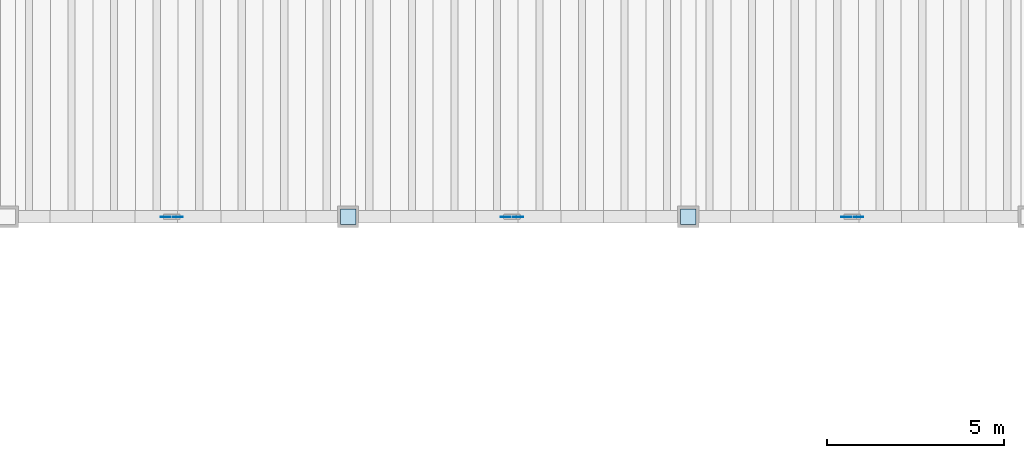
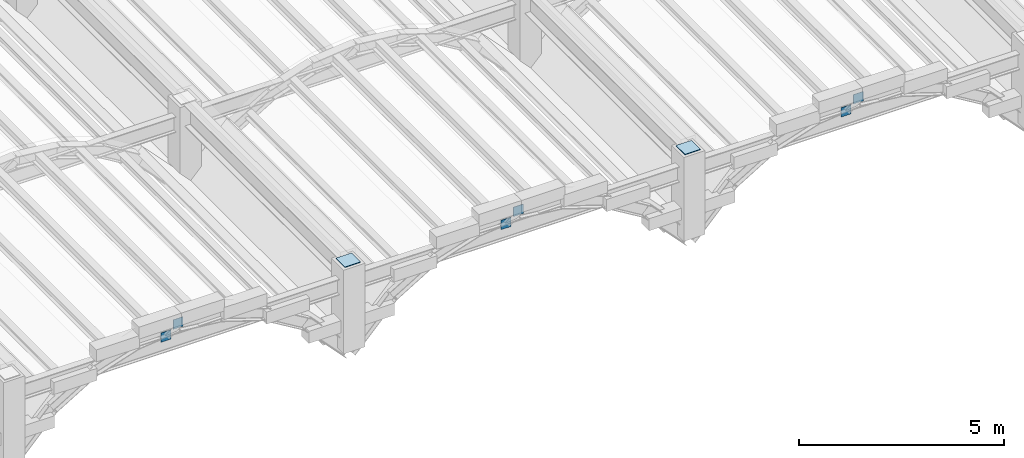
# One storey, part 60 of 70: 8 plates.
"""IFC4 building model written with IfcOpenShell, lengths in metres."""

import ifcopenshell
import ifcopenshell.guid

model = None  # the IFC model being written
_history = None  # IfcOwnerHistory: only IFC2X3 demands one
_inside = {}  # id of a spatial element -> (the spatial element, [elements in it])
_under = {}  # id of a project, library or spatial element -> (it, [spatial elements below it])
_declared = {}  # id of a project -> (the project, [libraries it declares])
_typed = {}  # id of a type object -> (the type object, [elements of that type])
_made_of = {}  # id of a material, layer set ... -> (it, [elements and type objects made of it])


def new_model(schema):
    """Start an empty IFC model of exactly this schema.

    Asked for "IFC4X3", IfcOpenShell would pick the latest addendum, in which some entities
    have other attributes; the version numbers below select the first issue.
    IFC2X3 requires an IfcOwnerHistory on every rooted entity: one is made here for all.
    """
    global model, _history
    if schema == "IFC4X3":
        model = ifcopenshell.file(schema_version=(4, 3, 0, 0))
    else:
        model = ifcopenshell.file(schema=schema)
    _inside.clear()
    _under.clear()
    _declared.clear()
    _typed.clear()
    _made_of.clear()
    _history = None
    if model.schema == "IFC2X3":
        org = make("IfcOrganization", Name="unknown")
        user = make(
            "IfcPersonAndOrganization",
            ThePerson=make("IfcPerson", FamilyName="unknown"),
            TheOrganization=org,
        )
        app = make(
            "IfcApplication",
            ApplicationDeveloper=org,
            Version="unknown",
            ApplicationFullName="unknown",
            ApplicationIdentifier="unknown",
        )
        _history = make(
            "IfcOwnerHistory",
            OwningUser=user,
            OwningApplication=app,
            ChangeAction="ADDED",
            CreationDate=0,
        )
    return model


def make(cls, **values):
    """One entity of the class cls with the attributes given. An attribute that is None is left unset."""
    return model.create_entity(
        cls, **{name: value for name, value in values.items() if value is not None}
    )


def rooted(cls, **values):
    """An entity with a GlobalId (a new one), such as an element, a storey or a relation."""
    return make(cls, GlobalId=ifcopenshell.guid.new(), OwnerHistory=_history, **values)


def si_unit(unit_type, name, prefix=None):
    """IfcSIUnit, for example si_unit("LENGTHUNIT", "METRE", prefix="MILLI")."""
    return make("IfcSIUnit", UnitType=unit_type, Prefix=prefix, Name=name)


def assignment(units):
    """IfcUnitAssignment: the units of a project."""
    return None if units is None else make("IfcUnitAssignment", Units=units)


def point(xyz):
    """IfcCartesianPoint."""
    return None if xyz is None else make("IfcCartesianPoint", Coordinates=xyz)


def direction(xyz):
    """IfcDirection."""
    return None if xyz is None else make("IfcDirection", DirectionRatios=xyz)


def frame(location, z_axis=None, x_axis=None):
    """IfcAxis2Placement3D, a coordinate frame: its origin and axes. An axis left out is left unset."""
    return make(
        "IfcAxis2Placement3D",
        Location=point(location),
        Axis=direction(z_axis),
        RefDirection=direction(x_axis),
    )


def frame_2d(location, x_axis=None):
    """IfcAxis2Placement2D, a coordinate frame in the plane: its origin and x axis."""
    return make(
        "IfcAxis2Placement2D", Location=point(location), RefDirection=direction(x_axis)
    )


def origin():
    """The frame at (0, 0, 0) with its axes left unset."""
    return frame((0.0, 0.0, 0.0))


def origin_2d():
    """The frame at (0, 0) in the plane with its x axis left unset."""
    return frame_2d((0.0, 0.0))


def place(relative_to, where):
    """IfcLocalPlacement: puts the frame where relative to a parent placement (None: the world)."""
    return make(
        "IfcLocalPlacement", PlacementRelTo=relative_to, RelativePlacement=where
    )


def context(
    kind, dimensions, precision=None, world=None, true_north=None, identifier=None
):
    """IfcGeometricRepresentationContext, for example the 3D "Model" context."""
    return make(
        "IfcGeometricRepresentationContext",
        ContextIdentifier=identifier,
        ContextType=kind,
        CoordinateSpaceDimension=dimensions,
        Precision=precision,
        WorldCoordinateSystem=world,
        TrueNorth=true_north,
    )


def subcontext(parent, identifier, kind, view, scale=None):
    """IfcGeometricRepresentationSubContext, for example "Body" below "Model"."""
    return make(
        "IfcGeometricRepresentationSubContext",
        ContextIdentifier=identifier,
        ContextType=kind,
        ParentContext=parent,
        TargetScale=scale,
        TargetView=view,
    )


def project(units=None, contexts=None):
    """IfcProject with its units and contexts."""
    return rooted(
        "IfcProject",
        Name="project",
        RepresentationContexts=contexts,
        UnitsInContext=assignment(units),
    )


def spatial(cls, under=None, at=None, **own):
    """A site, building, storey or space (cls), placed at a placement, below another one or the project."""
    s = rooted(cls, ObjectPlacement=at, **own)
    if under is not None:
        _under.setdefault(under.id(), (under, []))[1].append(s)
    return s


def profile(cls, at=None, kind="AREA", **sizes):
    """A parametric profile (cls). Its sizes go by their IFC names, for example OverallWidth=200.0."""
    return make(cls, ProfileType=kind, Position=at, **sizes)


def rectangle(**sizes):
    """IfcRectangleProfileDef."""
    return profile("IfcRectangleProfileDef", **sizes)


def extrude(swept, where, along, depth):
    """IfcExtrudedAreaSolid: the profile swept, set in the frame where, extruded along a direction by depth."""
    return make(
        "IfcExtrudedAreaSolid",
        SweptArea=swept,
        Position=where,
        ExtrudedDirection=direction(along),
        Depth=depth,
    )


def shape(context_of_items, identifier, shape_type, items):
    """IfcShapeRepresentation: the items that make up one representation, for example the "Body"."""
    return make(
        "IfcShapeRepresentation",
        ContextOfItems=context_of_items,
        RepresentationIdentifier=identifier,
        RepresentationType=shape_type,
        Items=items,
    )


def material(Name=None, Category=None):
    """IfcMaterial."""
    return make("IfcMaterial", Name=Name, Category=Category)


def layer(
    of_material, thickness, ventilated=None, Name=None, Category=None, Priority=None
):
    """IfcMaterialLayer: one layer of a wall or slab, of a material (None: an air gap)."""
    return make(
        "IfcMaterialLayer",
        Material=of_material,
        LayerThickness=thickness,
        IsVentilated=ventilated,
        Name=Name,
        Category=Category,
        Priority=Priority,
    )


def layer_set(layers, Name=None):
    """IfcMaterialLayerSet."""
    return make("IfcMaterialLayerSet", MaterialLayers=layers, LayerSetName=Name)


def made_of(thing, what):
    """Note that an element or type object is made of a material, layer set ...; save() writes the relation."""
    if what is not None:
        _made_of.setdefault(what.id(), (what, []))[1].append(thing)
    return thing


def type_object(cls, material=None, **own):
    """A type object (cls), such as IfcWallType, which elements share."""
    return made_of(rooted(cls, **own), material)


def element(
    cls,
    number,
    at=None,
    inside=None,
    cuts=None,
    type_object=None,
    material=None,
    context=None,
    identifier="Body",
    shape_type=None,
    held_by="IfcProductDefinitionShape",
    body=None,
    shapes=None,
    **own,
):
    """One element of the class cls, such as IfcWall. Its Tag is "e" and its number.

    at: its placement. inside: the storey or other place that contains it. cuts: it is an
    opening in that element (IfcRelVoidsElement). A single representation is given by context,
    identifier, shape_type and body (its items); several are given by shapes. held_by: the class
    of the entity that holds the representations. save() writes the other relations.
    """
    e = rooted(cls, Tag="e%d" % number, ObjectPlacement=at, **own)
    if body is not None:
        shapes = [shape(context, identifier, shape_type, body)]
    if shapes is not None:
        e.Representation = make(held_by, Representations=shapes)
    if inside is not None:
        _inside.setdefault(inside.id(), (inside, []))[1].append(e)
    if cuts is not None:
        rooted(
            "IfcRelVoidsElement", RelatingBuildingElement=cuts, RelatedOpeningElement=e
        )
    if type_object is not None:
        _typed.setdefault(type_object.id(), (type_object, []))[1].append(e)
    return made_of(e, material)


def aggregate(whole, parts):
    """IfcRelAggregates: a whole, such as a stair, and the parts it consists of."""
    return rooted("IfcRelAggregates", RelatingObject=whole, RelatedObjects=parts)


def save(model, path):
    """Write the relations noted so far, then the file.

    IfcRelAggregates (storeys below a building ...), IfcRelContainedInSpatialStructure (elements
    in a storey), IfcRelDefinesByType, IfcRelAssociatesMaterial and IfcRelDeclares: one each for
    every whole, place, type object, material and project.
    """
    for whole, parts in _under.values():
        aggregate(whole, parts)
    for where, things in _inside.values():
        rooted(
            "IfcRelContainedInSpatialStructure",
            RelatedElements=things,
            RelatingStructure=where,
        )
    for kind, things in _typed.values():
        rooted("IfcRelDefinesByType", RelatedObjects=things, RelatingType=kind)
    for what, things in _made_of.values():
        rooted("IfcRelAssociatesMaterial", RelatedObjects=things, RelatingMaterial=what)
    for by, libraries in _declared.values():
        rooted("IfcRelDeclares", RelatingContext=by, RelatedDefinitions=libraries)
    model.write(path)


model = new_model("IFC4")

# Units and contexts
model_context = context("Model", 3, precision=1e-05, world=origin(), true_north=direction((0.0, 1.0)))
body_context = subcontext(model_context, "Body", "Model", "MODEL_VIEW")
ifc_project = project(units=[si_unit("LENGTHUNIT", "METRE"), si_unit("AREAUNIT", "SQUARE_METRE"), si_unit("VOLUMEUNIT", "CUBIC_METRE"), si_unit("PLANEANGLEUNIT", "RADIAN"), si_unit("MASSUNIT", "GRAM", prefix="KILO")], contexts=[model_context])

# Site, building, storey
site_placement = place(None, origin())
site = spatial("IfcSite", under=ifc_project, at=site_placement, CompositionType="ELEMENT")
building_placement = place(site_placement, origin())
building = spatial("IfcBuilding", under=site, at=building_placement, Name="Mavantir Sound Aquarium", CompositionType="ELEMENT")
storey_placement = place(building_placement, frame((0.0, 0.0, 27.0)))
storey = spatial("IfcBuildingStorey", under=building, at=storey_placement, Name="RF", CompositionType="ELEMENT", Elevation=27.0)

# Plates
ifc_material = material(Name="Structural Steel ASTM A572 Gr50", Category="steel")
ifc_layer_1 = layer(ifc_material, 0.02001953125, Name="Structural Steel ASTM A572 Gr50")
ifc_layer_set_1 = layer_set([ifc_layer_1], Name="Structural Steel ASTM A572 Gr50")
plate_type_1 = type_object("IfcPlateType", Name="PLT-ENDCAP-20", PredefinedType="SHEET", material=ifc_layer_set_1)
for number, where, z_axis, x_axis, name in (
    (1, (136.800048828125, 40.800048828125, -4.699951171875), (0.0, 0.0, 1.0), (1.0, 0.0, 0.0), "Ridge column cap plate 4.41"),
    (2, (146.39990234375, 40.800048828125, -4.699951171875), (0.0, 0.0, 1.0), (1.0, 0.0, 0.0), "Ridge column cap plate 5.41"),
):
    element("IfcPlate", number, at=place(storey_placement, frame(where, z_axis=z_axis, x_axis=x_axis)), inside=storey, type_object=plate_type_1, Name=name, PredefinedType="SHEET", context=body_context, shape_type="SweptSolid", body=[
        extrude(rectangle(XDim=0.43994140625, YDim=0.43994140625, at=origin_2d()), origin(), (0.0, 0.0, 1.0), 0.02001953125),
    ])
ifc_layer_2 = layer(ifc_material, 0.01611328125, Name="Structural Steel ASTM A572 Gr50")
ifc_layer_set_2 = layer_set([ifc_layer_2], Name="Structural Steel ASTM A572 Gr50")
plate_type_2 = type_object("IfcPlateType", Name="PLT-GUSSET-16", PredefinedType="SHEET", material=ifc_layer_set_2)
for number, where, z_axis, x_axis, name in (
    (3, (131.64990234375, 40.800048828125, -5.283203125), (0.0, 0.0, 1.0), (1.0, 0.0, 0.0), "Brace end gusset plate GP-01 109"),
    (4, (132.0, 40.800048828125, -5.0166015625), (0.0, 0.0, 1.0), (1.0, 0.0, 0.0), "Brace end gusset plate GP-01 110"),
    (5, (141.25, 40.800048828125, -5.283203125), (0.0, 0.0, 1.0), (1.0, 0.0, 0.0), "Brace end gusset plate GP-01 125"),
    (6, (141.60009765625, 40.800048828125, -5.0166015625), (0.0, 0.0, 1.0), (1.0, 0.0, 0.0), "Brace end gusset plate GP-01 126"),
    (7, (150.85009765625, 40.800048828125, -5.283203125), (0.0, 0.0, 1.0), (1.0, 0.0, 0.0), "Brace end gusset plate GP-01 139"),
    (8, (151.199951171875, 40.800048828125, -5.0166015625), (0.0, 0.0, 1.0), (1.0, 0.0, 0.0), "Brace end gusset plate GP-01 140"),
):
    element("IfcPlate", number, at=place(storey_placement, frame(where, z_axis=z_axis, x_axis=x_axis)), inside=storey, type_object=plate_type_2, Name=name, PredefinedType="SHEET", context=body_context, shape_type="SweptSolid", body=[
        extrude(rectangle(XDim=0.280029296875, YDim=0.01611328125, at=origin_2d()), origin(), (0.0, 0.0, 1.0), 0.280029296875),
    ])

save(model, "model.ifc")
